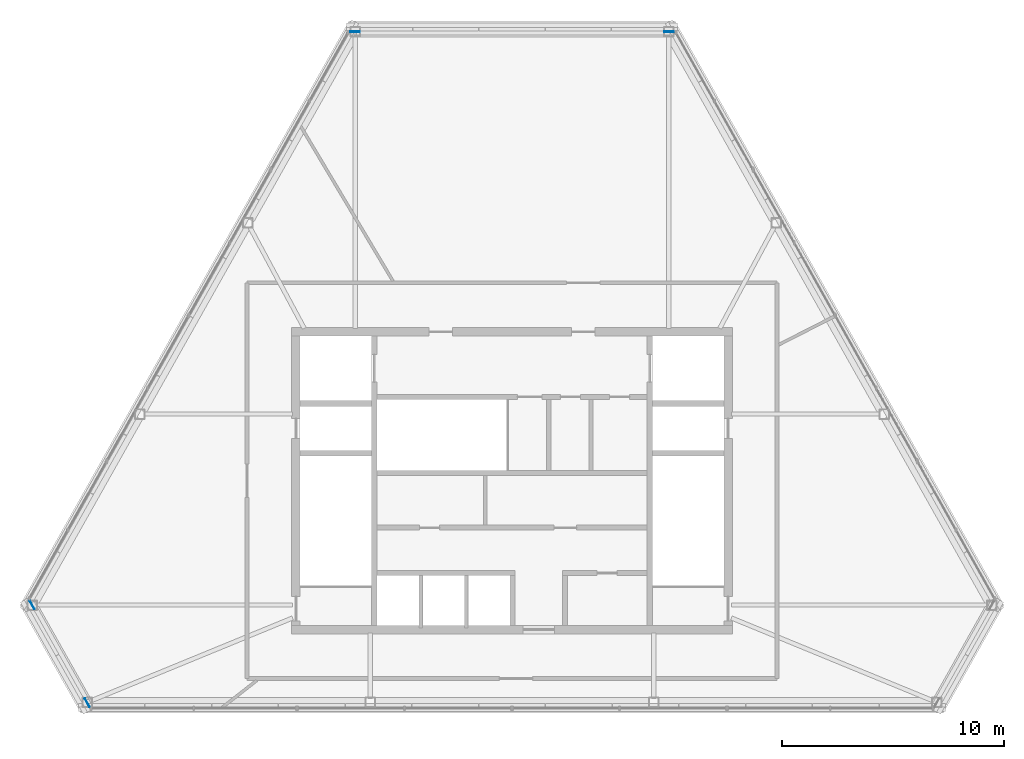
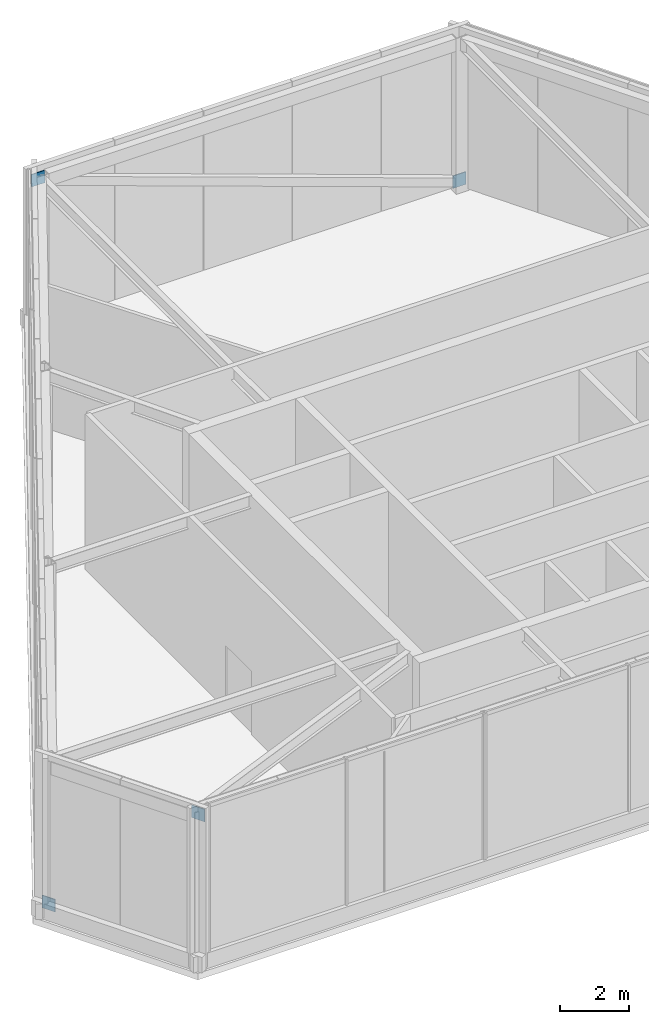
# One storey, part 7 of 11: 4 plates.
"""IFC4 building model written with IfcOpenShell, lengths in metres."""

from ifc_helpers import new_model, si_unit, direction, frame, origin, origin_2d, place, context, subcontext, project, spatial, rectangle, extrude, material, layer, layer_set, type_object, element, save


model = new_model("IFC4")

# Units and contexts
model_context = context("Model", 3, precision=1e-05, world=origin(), true_north=direction((0.0, 1.0)))
body_context = subcontext(model_context, "Body", "Model", "MODEL_VIEW")
ifc_project = project(units=[si_unit("LENGTHUNIT", "METRE"), si_unit("AREAUNIT", "SQUARE_METRE"), si_unit("VOLUMEUNIT", "CUBIC_METRE"), si_unit("PLANEANGLEUNIT", "RADIAN"), si_unit("MASSUNIT", "GRAM", prefix="KILO")], contexts=[model_context])

# Site, building, storey
site_placement = place(None, origin())
site = spatial("IfcSite", under=ifc_project, at=site_placement, CompositionType="ELEMENT")
building_placement = place(site_placement, origin())
building = spatial("IfcBuilding", under=site, at=building_placement, Name="Kavelnor Concourse Tower", CompositionType="ELEMENT")
storey_placement = place(building_placement, frame((0.0, 0.0, 309.949951171875)))
storey = spatial("IfcBuildingStorey", under=building, at=storey_placement, Name="L78", CompositionType="ELEMENT", Elevation=309.949951171875)

# Plates
ifc_material = material(Name="Steel Grade 350", Category="steel")
ifc_layer = layer(ifc_material, 0.031982421875, Name="Steel Grade 350")
ifc_layer_set = layer_set([ifc_layer], Name="Steel Grade 350")
plate_type = type_object("IfcPlateType", Name="PL-GUSSET-TUBE-Z1", PredefinedType="USERDEFINED", material=ifc_layer_set)
for number, where, z_axis, x_axis, name in (
    (1, (16.431884765625, 10.51806640625, 0.080078125), (0.0, 0.0, 1.0), (0.490751690644, -0.871299476719, 0.0), "L78 Crown Brace 04 End Gusset A"),
    (2, (18.90625, 6.12451171875, 5.0751953125), (0.0, 0.0, 1.0), (0.490751690644, -0.871299476719, 0.0), "L78 Crown Brace 04 End Gusset B"),
    (3, (45.06103515625, 36.276123046875, 0.080078125), (0.0, 0.0, 1.0), (-1.0, 0.0, 0.0), "L78 Crown Brace 12 End Gusset A"),
    (4, (30.93896484375, 36.276123046875, 5.0751953125), (0.0, 0.0, 1.0), (-1.0, 0.0, 0.0), "L78 Crown Brace 12 End Gusset B"),
):
    element("IfcPlate", number, at=place(storey_placement, frame(where, z_axis=z_axis, x_axis=x_axis)), inside=storey, type_object=plate_type, Name=name, ObjectType="GUSSET_PLATE", PredefinedType="USERDEFINED", context=body_context, shape_type="SweptSolid", body=[
        extrude(rectangle(XDim=0.43994140625, YDim=0.031982421875, at=origin_2d()), origin(), (0.0, 0.0, 1.0), 0.43994140625),
    ])

save(model, "model.ifc")
